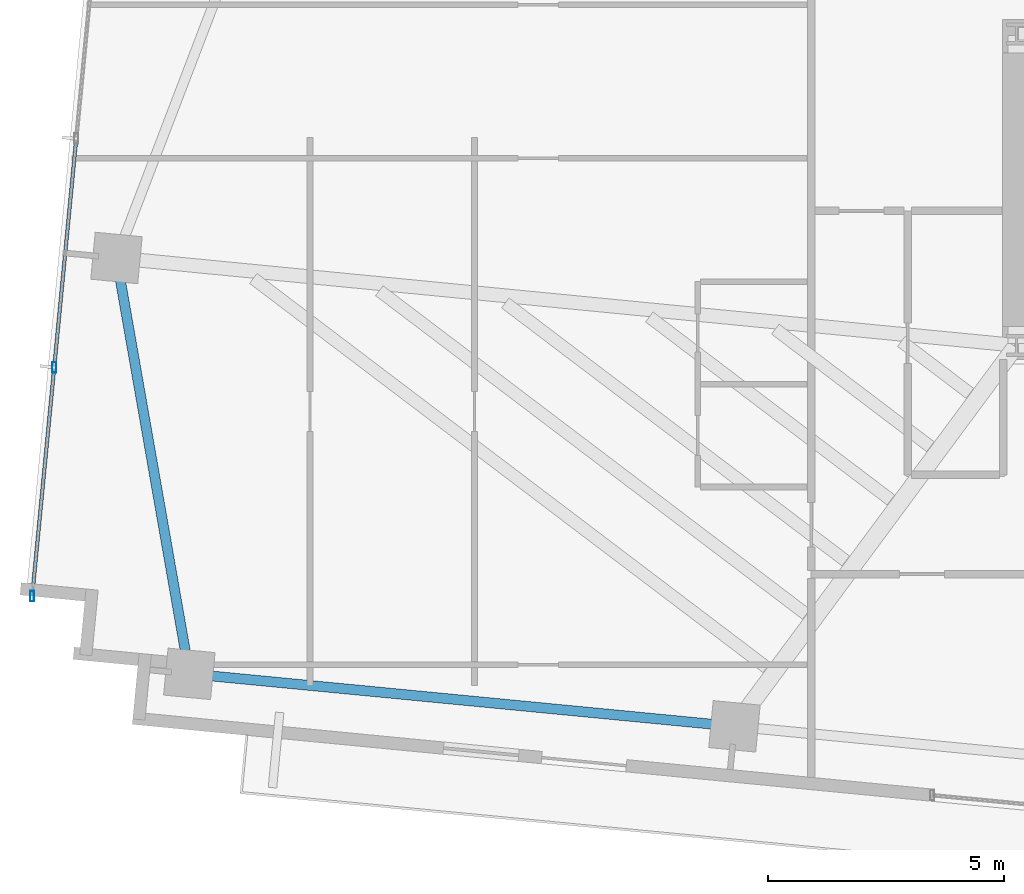
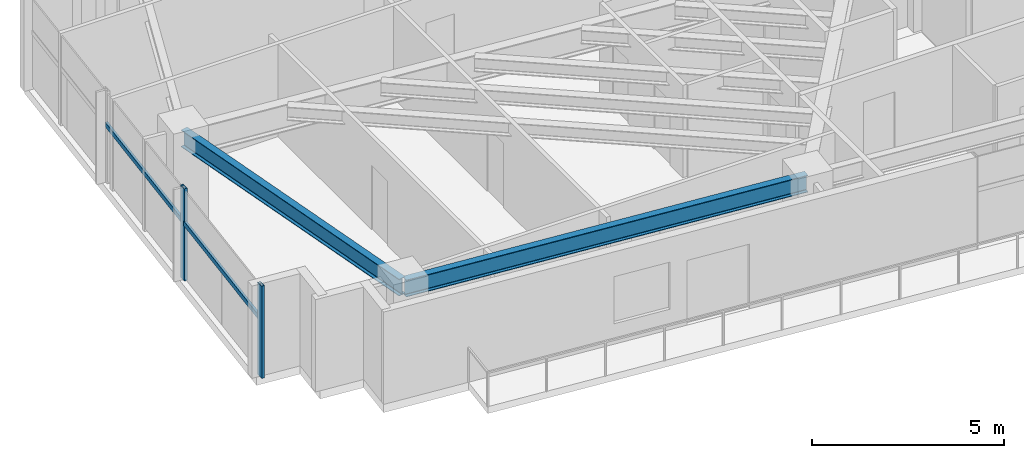
# One storey, part 2 of 20: 4 members, 2 beams, 1 element without a shape of its own.
"""IFC4 building model written with IfcOpenShell, lengths in metres."""

import ifcopenshell
import ifcopenshell.guid

model = None  # the IFC model being written
_history = None  # IfcOwnerHistory: only IFC2X3 demands one
_inside = {}  # id of a spatial element -> (the spatial element, [elements in it])
_under = {}  # id of a project, library or spatial element -> (it, [spatial elements below it])
_declared = {}  # id of a project -> (the project, [libraries it declares])
_typed = {}  # id of a type object -> (the type object, [elements of that type])
_made_of = {}  # id of a material, layer set ... -> (it, [elements and type objects made of it])


def new_model(schema):
    """Start an empty IFC model of exactly this schema.

    Asked for "IFC4X3", IfcOpenShell would pick the latest addendum, in which some entities
    have other attributes; the version numbers below select the first issue.
    IFC2X3 requires an IfcOwnerHistory on every rooted entity: one is made here for all.
    """
    global model, _history
    if schema == "IFC4X3":
        model = ifcopenshell.file(schema_version=(4, 3, 0, 0))
    else:
        model = ifcopenshell.file(schema=schema)
    _inside.clear()
    _under.clear()
    _declared.clear()
    _typed.clear()
    _made_of.clear()
    _history = None
    if model.schema == "IFC2X3":
        org = make("IfcOrganization", Name="unknown")
        user = make(
            "IfcPersonAndOrganization",
            ThePerson=make("IfcPerson", FamilyName="unknown"),
            TheOrganization=org,
        )
        app = make(
            "IfcApplication",
            ApplicationDeveloper=org,
            Version="unknown",
            ApplicationFullName="unknown",
            ApplicationIdentifier="unknown",
        )
        _history = make(
            "IfcOwnerHistory",
            OwningUser=user,
            OwningApplication=app,
            ChangeAction="ADDED",
            CreationDate=0,
        )
    return model


def make(cls, **values):
    """One entity of the class cls with the attributes given. An attribute that is None is left unset."""
    return model.create_entity(
        cls, **{name: value for name, value in values.items() if value is not None}
    )


def rooted(cls, **values):
    """An entity with a GlobalId (a new one), such as an element, a storey or a relation."""
    return make(cls, GlobalId=ifcopenshell.guid.new(), OwnerHistory=_history, **values)


def si_unit(unit_type, name, prefix=None):
    """IfcSIUnit, for example si_unit("LENGTHUNIT", "METRE", prefix="MILLI")."""
    return make("IfcSIUnit", UnitType=unit_type, Prefix=prefix, Name=name)


def assignment(units):
    """IfcUnitAssignment: the units of a project."""
    return None if units is None else make("IfcUnitAssignment", Units=units)


def point(xyz):
    """IfcCartesianPoint."""
    return None if xyz is None else make("IfcCartesianPoint", Coordinates=xyz)


def direction(xyz):
    """IfcDirection."""
    return None if xyz is None else make("IfcDirection", DirectionRatios=xyz)


def frame(location, z_axis=None, x_axis=None):
    """IfcAxis2Placement3D, a coordinate frame: its origin and axes. An axis left out is left unset."""
    return make(
        "IfcAxis2Placement3D",
        Location=point(location),
        Axis=direction(z_axis),
        RefDirection=direction(x_axis),
    )


def frame_2d(location, x_axis=None):
    """IfcAxis2Placement2D, a coordinate frame in the plane: its origin and x axis."""
    return make(
        "IfcAxis2Placement2D", Location=point(location), RefDirection=direction(x_axis)
    )


def origin():
    """The frame at (0, 0, 0) with its axes left unset."""
    return frame((0.0, 0.0, 0.0))


def origin_2d():
    """The frame at (0, 0) in the plane with its x axis left unset."""
    return frame_2d((0.0, 0.0))


def place(relative_to, where):
    """IfcLocalPlacement: puts the frame where relative to a parent placement (None: the world)."""
    return make(
        "IfcLocalPlacement", PlacementRelTo=relative_to, RelativePlacement=where
    )


def context(
    kind, dimensions, precision=None, world=None, true_north=None, identifier=None
):
    """IfcGeometricRepresentationContext, for example the 3D "Model" context."""
    return make(
        "IfcGeometricRepresentationContext",
        ContextIdentifier=identifier,
        ContextType=kind,
        CoordinateSpaceDimension=dimensions,
        Precision=precision,
        WorldCoordinateSystem=world,
        TrueNorth=true_north,
    )


def subcontext(parent, identifier, kind, view, scale=None):
    """IfcGeometricRepresentationSubContext, for example "Body" below "Model"."""
    return make(
        "IfcGeometricRepresentationSubContext",
        ContextIdentifier=identifier,
        ContextType=kind,
        ParentContext=parent,
        TargetScale=scale,
        TargetView=view,
    )


def project(units=None, contexts=None):
    """IfcProject with its units and contexts."""
    return rooted(
        "IfcProject",
        Name="project",
        RepresentationContexts=contexts,
        UnitsInContext=assignment(units),
    )


def spatial(cls, under=None, at=None, **own):
    """A site, building, storey or space (cls), placed at a placement, below another one or the project."""
    s = rooted(cls, ObjectPlacement=at, **own)
    if under is not None:
        _under.setdefault(under.id(), (under, []))[1].append(s)
    return s


def profile(cls, at=None, kind="AREA", **sizes):
    """A parametric profile (cls). Its sizes go by their IFC names, for example OverallWidth=200.0."""
    return make(cls, ProfileType=kind, Position=at, **sizes)


def hollow_rectangle(**sizes):
    """IfcRectangleHollowProfileDef."""
    return profile("IfcRectangleHollowProfileDef", **sizes)


def i_section(**sizes):
    """IfcIShapeProfileDef."""
    return profile("IfcIShapeProfileDef", **sizes)


def extrude(swept, where, along, depth):
    """IfcExtrudedAreaSolid: the profile swept, set in the frame where, extruded along a direction by depth."""
    return make(
        "IfcExtrudedAreaSolid",
        SweptArea=swept,
        Position=where,
        ExtrudedDirection=direction(along),
        Depth=depth,
    )


def shape(context_of_items, identifier, shape_type, items):
    """IfcShapeRepresentation: the items that make up one representation, for example the "Body"."""
    return make(
        "IfcShapeRepresentation",
        ContextOfItems=context_of_items,
        RepresentationIdentifier=identifier,
        RepresentationType=shape_type,
        Items=items,
    )


def source(mapping_origin, context_of_items, identifier, shape_type, items):
    """IfcRepresentationMap: a shape defined once, which mapped items show again and again."""
    return make(
        "IfcRepresentationMap",
        MappingOrigin=mapping_origin,
        MappedRepresentation=shape(context_of_items, identifier, shape_type, items),
    )


def transform(
    local_origin,
    x_axis=None,
    y_axis=None,
    z_axis=None,
    scale=None,
    scale2=None,
    scale3=None,
    uniform=True,
):
    """IfcCartesianTransformationOperator3D, or its non-uniform kind. x_axis, y_axis, z_axis: its Axis1, 2, 3."""
    if uniform:
        return make(
            "IfcCartesianTransformationOperator3D",
            Axis1=direction(x_axis),
            Axis2=direction(y_axis),
            LocalOrigin=point(local_origin),
            Scale=scale,
            Axis3=direction(z_axis),
        )
    return make(
        "IfcCartesianTransformationOperator3DnonUniform",
        Axis1=direction(x_axis),
        Axis2=direction(y_axis),
        LocalOrigin=point(local_origin),
        Scale=scale,
        Axis3=direction(z_axis),
        Scale2=scale2,
        Scale3=scale3,
    )


def mapped(mapping_source, mapping_target):
    """IfcMappedItem: shows the shape of a source again, moved by a transform."""
    return make(
        "IfcMappedItem", MappingSource=mapping_source, MappingTarget=mapping_target
    )


def material(Name=None, Category=None):
    """IfcMaterial."""
    return make("IfcMaterial", Name=Name, Category=Category)


def material_profile(
    of_material, cross_section, Name=None, Category=None, Priority=None
):
    """IfcMaterialProfile: a cross section and its material."""
    return make(
        "IfcMaterialProfile",
        Name=Name,
        Material=of_material,
        Profile=cross_section,
        Priority=Priority,
        Category=Category,
    )


def profile_set(profiles, Name=None, composite=None):
    """IfcMaterialProfileSet."""
    return make(
        "IfcMaterialProfileSet",
        Name=Name,
        MaterialProfiles=profiles,
        CompositeProfile=composite,
    )


def made_of(thing, what):
    """Note that an element or type object is made of a material, layer set ...; save() writes the relation."""
    if what is not None:
        _made_of.setdefault(what.id(), (what, []))[1].append(thing)
    return thing


def type_object(cls, material=None, **own):
    """A type object (cls), such as IfcWallType, which elements share."""
    return made_of(rooted(cls, **own), material)


def type_shapes(of_type, sources):
    """Give a type object the sources (RepresentationMaps) that its elements show as mapped items."""
    of_type.RepresentationMaps = sources


def element(
    cls,
    number,
    at=None,
    inside=None,
    cuts=None,
    type_object=None,
    material=None,
    context=None,
    identifier="Body",
    shape_type=None,
    held_by="IfcProductDefinitionShape",
    body=None,
    shapes=None,
    **own,
):
    """One element of the class cls, such as IfcWall. Its Tag is "e" and its number.

    at: its placement. inside: the storey or other place that contains it. cuts: it is an
    opening in that element (IfcRelVoidsElement). A single representation is given by context,
    identifier, shape_type and body (its items); several are given by shapes. held_by: the class
    of the entity that holds the representations. save() writes the other relations.
    """
    e = rooted(cls, Tag="e%d" % number, ObjectPlacement=at, **own)
    if body is not None:
        shapes = [shape(context, identifier, shape_type, body)]
    if shapes is not None:
        e.Representation = make(held_by, Representations=shapes)
    if inside is not None:
        _inside.setdefault(inside.id(), (inside, []))[1].append(e)
    if cuts is not None:
        rooted(
            "IfcRelVoidsElement", RelatingBuildingElement=cuts, RelatedOpeningElement=e
        )
    if type_object is not None:
        _typed.setdefault(type_object.id(), (type_object, []))[1].append(e)
    return made_of(e, material)


def aggregate(whole, parts):
    """IfcRelAggregates: a whole, such as a stair, and the parts it consists of."""
    return rooted("IfcRelAggregates", RelatingObject=whole, RelatedObjects=parts)


def save(model, path):
    """Write the relations noted so far, then the file.

    IfcRelAggregates (storeys below a building ...), IfcRelContainedInSpatialStructure (elements
    in a storey), IfcRelDefinesByType, IfcRelAssociatesMaterial and IfcRelDeclares: one each for
    every whole, place, type object, material and project.
    """
    for whole, parts in _under.values():
        aggregate(whole, parts)
    for where, things in _inside.values():
        rooted(
            "IfcRelContainedInSpatialStructure",
            RelatedElements=things,
            RelatingStructure=where,
        )
    for kind, things in _typed.values():
        rooted("IfcRelDefinesByType", RelatedObjects=things, RelatingType=kind)
    for what, things in _made_of.values():
        rooted("IfcRelAssociatesMaterial", RelatedObjects=things, RelatingMaterial=what)
    for by, libraries in _declared.values():
        rooted("IfcRelDeclares", RelatingContext=by, RelatedDefinitions=libraries)
    model.write(path)


model = new_model("IFC4")

# Units and contexts
model_context = context("Model", 3, precision=1e-05, world=origin(), true_north=direction((0.0, 1.0)))
body_context = subcontext(model_context, "Body", "Model", "MODEL_VIEW")
ifc_project = project(units=[si_unit("LENGTHUNIT", "METRE"), si_unit("AREAUNIT", "SQUARE_METRE"), si_unit("VOLUMEUNIT", "CUBIC_METRE"), si_unit("PLANEANGLEUNIT", "RADIAN"), si_unit("MASSUNIT", "GRAM", prefix="KILO")], contexts=[model_context])

# Site, building, storey
site_placement = place(None, origin())
site = spatial("IfcSite", under=ifc_project, at=site_placement, CompositionType="ELEMENT")
building_placement = place(site_placement, origin())
building = spatial("IfcBuilding", under=site, at=building_placement, Name="Astriad Promenade Condominiums", CompositionType="ELEMENT")
storey_placement = place(building_placement, frame((0.0, 0.0, 153.39990234375)))
storey = spatial("IfcBuildingStorey", under=building, at=storey_placement, Name="L44", CompositionType="ELEMENT", Elevation=153.39990234375)

# Beams
ifc_material_1 = material(Name="Steel ASTM A992 Grade 50", Category="steel")
ifc_material_profile_1 = material_profile(ifc_material_1, i_section(OverallWidth=0.210693359375, OverallDepth=0.53955078125, WebThickness=0.01171875, FlangeThickness=0.018798828125, FilletRadius=0.0166015625, at=origin_2d()), Name="W21X73")
ifc_profile_set_1 = profile_set([ifc_material_profile_1], Name="Steel ASTM A992 Grade 50")
beam_type = type_object("IfcBeamType", Name="STEEL SPANDREL BEAM W21X73", PredefinedType="SPANDREL", material=ifc_profile_set_1)
shared_shape_1 = source(origin(), body_context, "Body", "SweptSolid", [
    extrude(i_section(OverallWidth=0.210693359375, OverallDepth=0.53955078125, WebThickness=0.01171875, FlangeThickness=0.018798828125, FilletRadius=0.0166015625, at=origin_2d()), origin(), (0.0, 0.0, 1.0), 11.52001953125),
])
beam_1_placement = place(storey_placement, frame((8.92041015625, 10.439453125, 2.67041015625), z_axis=(0.9953953902, -0.095854145285, 0.0), x_axis=(0.095854145285, 0.9953953902, 0.0)))
element("IfcBeam", 1, at=beam_1_placement, inside=storey, type_object=beam_type, Name="Perimeter Spandrel Beam SP-S1-L44", PredefinedType="SPANDREL", context=body_context, shape_type="MappedRepresentation", body=[
    mapped(shared_shape_1, transform((0.0, 0.0, 0.0), scale=1.0)),
])
shared_shape_2 = source(origin(), body_context, "Body", "SweptSolid", [
    extrude(i_section(OverallWidth=0.210693359375, OverallDepth=0.53955078125, WebThickness=0.01171875, FlangeThickness=0.018798828125, FilletRadius=0.0166015625, at=origin_2d()), origin(), (0.0, 0.0, 1.0), 8.862548828125),
])
type_shapes(beam_type, [shared_shape_1, shared_shape_2])
beam_2_placement = place(storey_placement, frame((7.3447265625, 19.21240234375, 2.67041015625), z_axis=(0.172528005434, -0.985004612853, 0.0), x_axis=(0.985004612853, 0.172528005434, 0.0)))
element("IfcBeam", 2, at=beam_2_placement, inside=storey, type_object=beam_type, Name="Perimeter Spandrel Beam SP-W1-L44", PredefinedType="SPANDREL", context=body_context, shape_type="MappedRepresentation", body=[
    mapped(shared_shape_2, transform((0.0, 0.0, 0.0), scale=1.0)),
])

# Curtain wall, members
ifc_material_2 = material(Name="Anodised aluminium Black Dark Glass Unitised", Category="aluminium")
curtain_wall_type = type_object("IfcCurtainWallType", Name="CW-B34-DARK", PredefinedType="USERDEFINED", material=ifc_material_2)
curtain_wall_placement = place(storey_placement, origin())
curtain_wall = element("IfcCurtainWall", 3, at=curtain_wall_placement, inside=storey, type_object=curtain_wall_type, Name="CW-L44-W", ObjectType="UNITISED_CURTAIN_WALL", PredefinedType="USERDEFINED")
ifc_material_3 = material(Name="Anodised aluminium 6063-T6 Black", Category="aluminium")
ifc_material_profile_2 = material_profile(ifc_material_3, hollow_rectangle(XDim=0.074951171875, YDim=0.14990234375, WallThickness=0.004150390625, at=origin_2d()), Name="ALU-TRN-75X150")
ifc_profile_set_2 = profile_set([ifc_material_profile_2], Name="Anodised aluminium 6063-T6 Black")
member_type_1 = type_object("IfcMemberType", Name="TRN-ALU-TRN-75X150", PredefinedType="USERDEFINED", material=ifc_profile_set_2)
shared_shape_3 = source(origin(), body_context, "Body", "SweptSolid", [
    extrude(hollow_rectangle(XDim=0.074951171875, YDim=0.14990234375, WallThickness=0.004150390625, at=origin_2d()), origin(), (0.0, 0.0, 1.0), 4.86669921875),
])
type_shapes(member_type_1, [shared_shape_3])
member_1_placement = place(storey_placement, frame((5.552978515625, 12.08984375, 1.822998046875), z_axis=(0.095867260207, 0.995394127178, 0.0), x_axis=(-0.995394127178, 0.095867260207, 0.0)))
member_1 = element("IfcMember", 4, at=member_1_placement, type_object=member_type_1, Name="CW-L44-W-TRN-00-0", ObjectType="TRANSOM", PredefinedType="USERDEFINED", context=body_context, shape_type="MappedRepresentation", body=[
    mapped(shared_shape_3, transform((0.0, 0.0, 0.0), scale=1.0)),
])
member_2_placement = place(storey_placement, frame((6.01953125, 16.93408203125, 1.822998046875), z_axis=(0.095867260207, 0.995394127178, 0.0), x_axis=(-0.995394127178, 0.095867260207, 0.0)))
member_2 = element("IfcMember", 5, at=member_2_placement, type_object=member_type_1, Name="CW-L44-W-TRN-01-0", ObjectType="TRANSOM", PredefinedType="USERDEFINED", context=body_context, shape_type="MappedRepresentation", body=[
    mapped(shared_shape_3, transform((0.0, 0.0, 0.0), scale=1.0)),
])
ifc_material_profile_3 = material_profile(ifc_material_3, hollow_rectangle(XDim=0.0849609375, YDim=0.219970703125, WallThickness=0.0048828125, at=origin_2d()), Name="ALU-MUL-85X220")
ifc_profile_set_3 = profile_set([ifc_material_profile_3], Name="Anodised aluminium 6063-T6 Black")
member_type_2 = type_object("IfcMemberType", Name="MUL-ALU-MUL-85X220", PredefinedType="MULLION", material=ifc_profile_set_3)
shared_shape_4 = source(origin(), body_context, "Body", "SweptSolid", [
    extrude(hollow_rectangle(XDim=0.0849609375, YDim=0.219970703125, WallThickness=0.0048828125, at=origin_2d()), origin(), (0.0, 0.0, 1.0), 2.940185546875),
])
type_shapes(member_type_2, [shared_shape_4])
member_3_placement = place(storey_placement, frame((5.552978515625, 12.08984375, 0.0), z_axis=(0.0, 0.0, 1.0), x_axis=(1.0, 0.0, 0.0)))
member_3 = element("IfcMember", 6, at=member_3_placement, type_object=member_type_2, Name="CW-L44-W-MUL-00", PredefinedType="MULLION", context=body_context, shape_type="MappedRepresentation", body=[
    mapped(shared_shape_4, transform((0.0, 0.0, 0.0), scale=1.0)),
])
member_4_placement = place(storey_placement, frame((6.01953125, 16.93408203125, 0.0), z_axis=(0.0, 0.0, 1.0), x_axis=(1.0, 0.0, 0.0)))
member_4 = element("IfcMember", 7, at=member_4_placement, type_object=member_type_2, Name="CW-L44-W-MUL-01", PredefinedType="MULLION", context=body_context, shape_type="MappedRepresentation", body=[
    mapped(shared_shape_4, transform((0.0, 0.0, 0.0), scale=1.0)),
])
aggregate(curtain_wall, [member_3, member_4, member_1, member_2])

save(model, "model.ifc")
